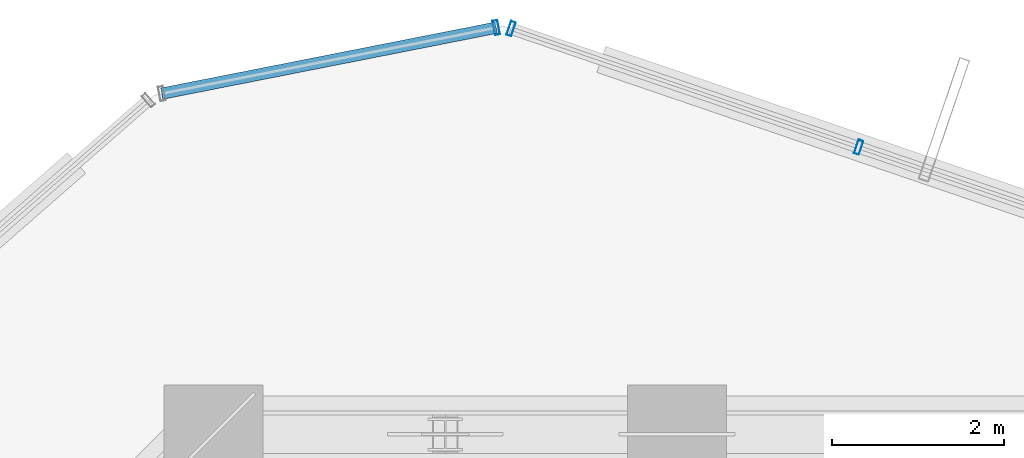
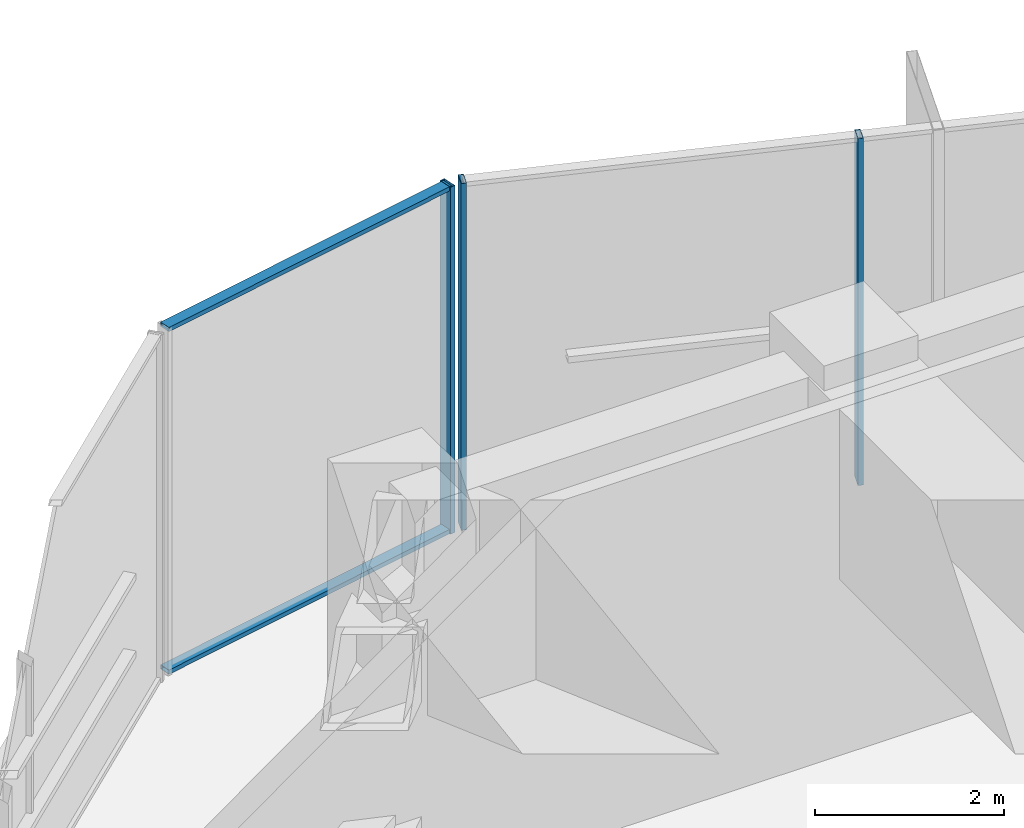
# One storey, part 29 of 36: 5 members, 2 elements without a shape of their own.
"""IFC4 building model written with IfcOpenShell, lengths in metres."""

from ifc_helpers import new_model, si_unit, direction, frame, origin, origin_2d, place, context, subcontext, project, spatial, hollow_rectangle, extrude, source, transform, mapped, material, layer, layer_set, material_profile, profile_set, type_object, element, aggregate, save


model = new_model("IFC4")

# Units and contexts
model_context = context("Model", 3, precision=1e-05, world=origin(), true_north=direction((0.0, 1.0)))
body_context = subcontext(model_context, "Body", "Model", "MODEL_VIEW")
ifc_project = project(units=[si_unit("LENGTHUNIT", "METRE"), si_unit("AREAUNIT", "SQUARE_METRE"), si_unit("VOLUMEUNIT", "CUBIC_METRE"), si_unit("PLANEANGLEUNIT", "RADIAN"), si_unit("MASSUNIT", "GRAM", prefix="KILO")], contexts=[model_context])

# Site, building, storey
site_placement = place(None, origin())
site = spatial("IfcSite", under=ifc_project, at=site_placement, CompositionType="ELEMENT")
building_placement = place(site_placement, origin())
building = spatial("IfcBuilding", under=site, at=building_placement, Name="Veraguas Prism Commons", CompositionType="ELEMENT")
storey_placement = place(building_placement, frame((0.0, 0.0, 169.550048828125)))
storey = spatial("IfcBuildingStorey", under=building, at=storey_placement, Name="L48", CompositionType="ELEMENT", Elevation=169.550048828125)

# Curtain wall, members
ifc_material = material(Name="Anodised aluminium EN AW-6063 T6", Category="aluminium")
ifc_layer = layer(ifc_material, 0.169921875, Name="Unitised Flush Curtain Wall Zone 2", Category="aluminium")
ifc_layer_set = layer_set([ifc_layer], Name="Anodised aluminium EN AW-6063 T6")
curtain_wall_type = type_object("IfcCurtainWallType", Name="Unitised Flush Curtain Wall Zone 2", PredefinedType="NOTDEFINED", material=ifc_layer_set)
curtain_wall_1_placement = place(storey_placement, origin())
curtain_wall_1 = element("IfcCurtainWall", 1, at=curtain_wall_1_placement, inside=storey, type_object=curtain_wall_type, Name="Tower Facade Curtain Wall L48-F1", PredefinedType="NOTDEFINED")
ifc_material_profile_1 = material_profile(ifc_material, hollow_rectangle(XDim=0.06005859375, YDim=0.169921875, WallThickness=0.00390625, at=origin_2d()), Name="AL60X170X4")
ifc_profile_set_1 = profile_set([ifc_material_profile_1], Name="Anodised aluminium EN AW-6063 T6")
member_type_1 = type_object("IfcMemberType", Name="Curtain Wall Mullion Lower AL 60x170x4", PredefinedType="MULLION", material=ifc_profile_set_1)
shared_shape_1 = source(origin(), body_context, "Body", "SweptSolid", [
    extrude(hollow_rectangle(XDim=0.06005859375, YDim=0.169921875, WallThickness=0.00390625, at=origin_2d()), origin(), (0.0, 0.0, 1.0), 4.47998046875),
])
member_1_placement = place(storey_placement, frame((26.11669921875, 43.546142578125, 0.0), z_axis=(0.0, 0.0, 1.0), x_axis=(-0.946424609155, 0.322924850679, 0.0)))
member_1 = element("IfcMember", 2, at=member_1_placement, type_object=member_type_1, Name="CW-Z2 Mullion 4", PredefinedType="MULLION", context=body_context, shape_type="MappedRepresentation", body=[
    mapped(shared_shape_1, transform((0.0, 0.0, 0.0), scale=1.0)),
])
member_2_placement = place(storey_placement, frame((22.0673828125, 44.927734375, 0.0), z_axis=(0.0, 0.0, 1.0), x_axis=(-0.946424609155, 0.322924850679, 0.0)))
member_2 = element("IfcMember", 3, at=member_2_placement, type_object=member_type_1, Name="CW-Z2 Mullion 5", PredefinedType="MULLION", context=body_context, shape_type="MappedRepresentation", body=[
    mapped(shared_shape_1, transform((0.0, 0.0, 0.0), scale=1.0)),
])
aggregate(curtain_wall_1, [member_1, member_2])

curtain_wall_2_placement = place(storey_placement, origin())
curtain_wall_2 = element("IfcCurtainWall", 4, at=curtain_wall_2_placement, inside=storey, type_object=curtain_wall_type, Name="Chamfer Curtain Wall L48-C2", PredefinedType="NOTDEFINED")
member_3_placement = place(storey_placement, frame((21.893798828125, 44.939453125, 0.0), z_axis=(0.0, 0.0, 1.0), x_axis=(-0.981090517443, -0.193549468051, 0.0)))
member_3 = element("IfcMember", 5, at=member_3_placement, type_object=member_type_1, Name="CW-Z2 Mullion 1", PredefinedType="MULLION", context=body_context, shape_type="MappedRepresentation", body=[
    mapped(shared_shape_1, transform((0.0, 0.0, 0.0), scale=1.0)),
])
ifc_material_profile_2 = material_profile(ifc_material, hollow_rectangle(XDim=0.054931640625, YDim=0.135009765625, WallThickness=0.0029296875, at=origin_2d()), Name="AL55X135X3")
ifc_profile_set_2 = profile_set([ifc_material_profile_2], Name="Anodised aluminium EN AW-6063 T6")
member_type_2 = type_object("IfcMemberType", Name="Curtain Wall Transom Standard AL 55x135x3", PredefinedType="USERDEFINED", material=ifc_profile_set_2)
shared_shape_2 = source(origin(), body_context, "Body", "SweptSolid", [
    extrude(hollow_rectangle(XDim=0.054931640625, YDim=0.135009765625, WallThickness=0.0029296875, at=origin_2d()), origin(), (0.0, 0.0, 1.0), 3.97314453125),
])
member_4_placement = place(storey_placement, frame((21.893798828125, 44.939453125, 0.02734375), z_axis=(-0.9810878494, -0.193562991708, 0.0), x_axis=(0.0, 0.0, 1.0)))
member_4 = element("IfcMember", 6, at=member_4_placement, type_object=member_type_2, Name="CW-Z2 Transom 1", ObjectType="TRANSOM", PredefinedType="USERDEFINED", context=body_context, shape_type="MappedRepresentation", body=[
    mapped(shared_shape_2, transform((0.0, 0.0, 0.0), scale=1.0)),
])
member_5_placement = place(storey_placement, frame((21.893798828125, 44.939453125, 4.452392578125), z_axis=(-0.9810878494, -0.193562991708, 0.0), x_axis=(0.0, 0.0, 1.0)))
member_5 = element("IfcMember", 7, at=member_5_placement, type_object=member_type_2, Name="CW-Z2 Transom 2", ObjectType="TRANSOM", PredefinedType="USERDEFINED", context=body_context, shape_type="MappedRepresentation", body=[
    mapped(shared_shape_2, transform((0.0, 0.0, 0.0), scale=1.0)),
])
aggregate(curtain_wall_2, [member_3, member_4, member_5])

save(model, "model.ifc")
